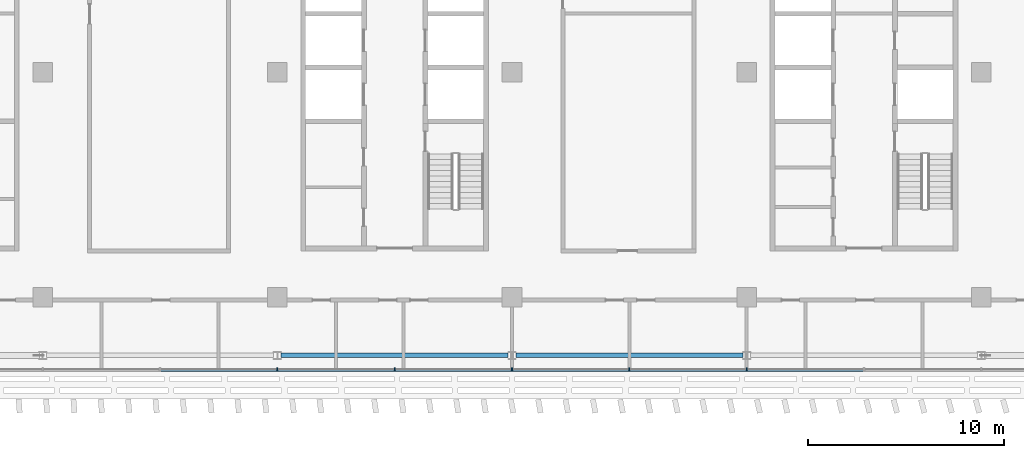
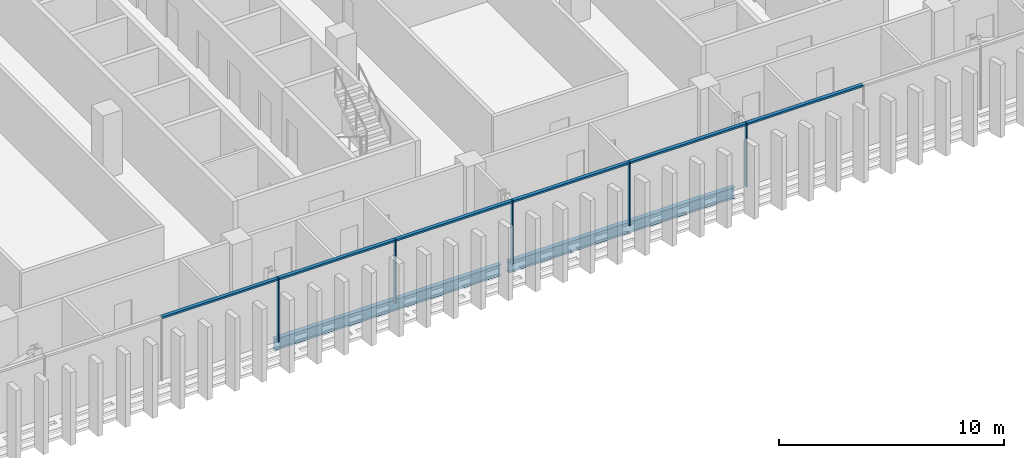
# One storey, part 8 of 34: 11 members, 2 beams, 1 element without a shape of its own.
"""IFC4 building model written with IfcOpenShell, lengths in metres."""

import ifcopenshell
import ifcopenshell.guid

model = None  # the IFC model being written
_history = None  # IfcOwnerHistory: only IFC2X3 demands one
_inside = {}  # id of a spatial element -> (the spatial element, [elements in it])
_under = {}  # id of a project, library or spatial element -> (it, [spatial elements below it])
_declared = {}  # id of a project -> (the project, [libraries it declares])
_typed = {}  # id of a type object -> (the type object, [elements of that type])
_made_of = {}  # id of a material, layer set ... -> (it, [elements and type objects made of it])


def new_model(schema):
    """Start an empty IFC model of exactly this schema.

    Asked for "IFC4X3", IfcOpenShell would pick the latest addendum, in which some entities
    have other attributes; the version numbers below select the first issue.
    IFC2X3 requires an IfcOwnerHistory on every rooted entity: one is made here for all.
    """
    global model, _history
    if schema == "IFC4X3":
        model = ifcopenshell.file(schema_version=(4, 3, 0, 0))
    else:
        model = ifcopenshell.file(schema=schema)
    _inside.clear()
    _under.clear()
    _declared.clear()
    _typed.clear()
    _made_of.clear()
    _history = None
    if model.schema == "IFC2X3":
        org = make("IfcOrganization", Name="unknown")
        user = make(
            "IfcPersonAndOrganization",
            ThePerson=make("IfcPerson", FamilyName="unknown"),
            TheOrganization=org,
        )
        app = make(
            "IfcApplication",
            ApplicationDeveloper=org,
            Version="unknown",
            ApplicationFullName="unknown",
            ApplicationIdentifier="unknown",
        )
        _history = make(
            "IfcOwnerHistory",
            OwningUser=user,
            OwningApplication=app,
            ChangeAction="ADDED",
            CreationDate=0,
        )
    return model


def make(cls, **values):
    """One entity of the class cls with the attributes given. An attribute that is None is left unset."""
    return model.create_entity(
        cls, **{name: value for name, value in values.items() if value is not None}
    )


def rooted(cls, **values):
    """An entity with a GlobalId (a new one), such as an element, a storey or a relation."""
    return make(cls, GlobalId=ifcopenshell.guid.new(), OwnerHistory=_history, **values)


def si_unit(unit_type, name, prefix=None):
    """IfcSIUnit, for example si_unit("LENGTHUNIT", "METRE", prefix="MILLI")."""
    return make("IfcSIUnit", UnitType=unit_type, Prefix=prefix, Name=name)


def assignment(units):
    """IfcUnitAssignment: the units of a project."""
    return None if units is None else make("IfcUnitAssignment", Units=units)


def point(xyz):
    """IfcCartesianPoint."""
    return None if xyz is None else make("IfcCartesianPoint", Coordinates=xyz)


def direction(xyz):
    """IfcDirection."""
    return None if xyz is None else make("IfcDirection", DirectionRatios=xyz)


def frame(location, z_axis=None, x_axis=None):
    """IfcAxis2Placement3D, a coordinate frame: its origin and axes. An axis left out is left unset."""
    return make(
        "IfcAxis2Placement3D",
        Location=point(location),
        Axis=direction(z_axis),
        RefDirection=direction(x_axis),
    )


def frame_2d(location, x_axis=None):
    """IfcAxis2Placement2D, a coordinate frame in the plane: its origin and x axis."""
    return make(
        "IfcAxis2Placement2D", Location=point(location), RefDirection=direction(x_axis)
    )


def origin():
    """The frame at (0, 0, 0) with its axes left unset."""
    return frame((0.0, 0.0, 0.0))


def origin_2d():
    """The frame at (0, 0) in the plane with its x axis left unset."""
    return frame_2d((0.0, 0.0))


def place(relative_to, where):
    """IfcLocalPlacement: puts the frame where relative to a parent placement (None: the world)."""
    return make(
        "IfcLocalPlacement", PlacementRelTo=relative_to, RelativePlacement=where
    )


def context(
    kind, dimensions, precision=None, world=None, true_north=None, identifier=None
):
    """IfcGeometricRepresentationContext, for example the 3D "Model" context."""
    return make(
        "IfcGeometricRepresentationContext",
        ContextIdentifier=identifier,
        ContextType=kind,
        CoordinateSpaceDimension=dimensions,
        Precision=precision,
        WorldCoordinateSystem=world,
        TrueNorth=true_north,
    )


def subcontext(parent, identifier, kind, view, scale=None):
    """IfcGeometricRepresentationSubContext, for example "Body" below "Model"."""
    return make(
        "IfcGeometricRepresentationSubContext",
        ContextIdentifier=identifier,
        ContextType=kind,
        ParentContext=parent,
        TargetScale=scale,
        TargetView=view,
    )


def project(units=None, contexts=None):
    """IfcProject with its units and contexts."""
    return rooted(
        "IfcProject",
        Name="project",
        RepresentationContexts=contexts,
        UnitsInContext=assignment(units),
    )


def spatial(cls, under=None, at=None, **own):
    """A site, building, storey or space (cls), placed at a placement, below another one or the project."""
    s = rooted(cls, ObjectPlacement=at, **own)
    if under is not None:
        _under.setdefault(under.id(), (under, []))[1].append(s)
    return s


def profile(cls, at=None, kind="AREA", **sizes):
    """A parametric profile (cls). Its sizes go by their IFC names, for example OverallWidth=200.0."""
    return make(cls, ProfileType=kind, Position=at, **sizes)


def rectangle(**sizes):
    """IfcRectangleProfileDef."""
    return profile("IfcRectangleProfileDef", **sizes)


def i_section(**sizes):
    """IfcIShapeProfileDef."""
    return profile("IfcIShapeProfileDef", **sizes)


def extrude(swept, where, along, depth):
    """IfcExtrudedAreaSolid: the profile swept, set in the frame where, extruded along a direction by depth."""
    return make(
        "IfcExtrudedAreaSolid",
        SweptArea=swept,
        Position=where,
        ExtrudedDirection=direction(along),
        Depth=depth,
    )


def shape(context_of_items, identifier, shape_type, items):
    """IfcShapeRepresentation: the items that make up one representation, for example the "Body"."""
    return make(
        "IfcShapeRepresentation",
        ContextOfItems=context_of_items,
        RepresentationIdentifier=identifier,
        RepresentationType=shape_type,
        Items=items,
    )


def material(Name=None, Category=None):
    """IfcMaterial."""
    return make("IfcMaterial", Name=Name, Category=Category)


def material_profile(
    of_material, cross_section, Name=None, Category=None, Priority=None
):
    """IfcMaterialProfile: a cross section and its material."""
    return make(
        "IfcMaterialProfile",
        Name=Name,
        Material=of_material,
        Profile=cross_section,
        Priority=Priority,
        Category=Category,
    )


def profile_set(profiles, Name=None, composite=None):
    """IfcMaterialProfileSet."""
    return make(
        "IfcMaterialProfileSet",
        Name=Name,
        MaterialProfiles=profiles,
        CompositeProfile=composite,
    )


def made_of(thing, what):
    """Note that an element or type object is made of a material, layer set ...; save() writes the relation."""
    if what is not None:
        _made_of.setdefault(what.id(), (what, []))[1].append(thing)
    return thing


def type_object(cls, material=None, **own):
    """A type object (cls), such as IfcWallType, which elements share."""
    return made_of(rooted(cls, **own), material)


def element(
    cls,
    number,
    at=None,
    inside=None,
    cuts=None,
    type_object=None,
    material=None,
    context=None,
    identifier="Body",
    shape_type=None,
    held_by="IfcProductDefinitionShape",
    body=None,
    shapes=None,
    **own,
):
    """One element of the class cls, such as IfcWall. Its Tag is "e" and its number.

    at: its placement. inside: the storey or other place that contains it. cuts: it is an
    opening in that element (IfcRelVoidsElement). A single representation is given by context,
    identifier, shape_type and body (its items); several are given by shapes. held_by: the class
    of the entity that holds the representations. save() writes the other relations.
    """
    e = rooted(cls, Tag="e%d" % number, ObjectPlacement=at, **own)
    if body is not None:
        shapes = [shape(context, identifier, shape_type, body)]
    if shapes is not None:
        e.Representation = make(held_by, Representations=shapes)
    if inside is not None:
        _inside.setdefault(inside.id(), (inside, []))[1].append(e)
    if cuts is not None:
        rooted(
            "IfcRelVoidsElement", RelatingBuildingElement=cuts, RelatedOpeningElement=e
        )
    if type_object is not None:
        _typed.setdefault(type_object.id(), (type_object, []))[1].append(e)
    return made_of(e, material)


def aggregate(whole, parts):
    """IfcRelAggregates: a whole, such as a stair, and the parts it consists of."""
    return rooted("IfcRelAggregates", RelatingObject=whole, RelatedObjects=parts)


def save(model, path):
    """Write the relations noted so far, then the file.

    IfcRelAggregates (storeys below a building ...), IfcRelContainedInSpatialStructure (elements
    in a storey), IfcRelDefinesByType, IfcRelAssociatesMaterial and IfcRelDeclares: one each for
    every whole, place, type object, material and project.
    """
    for whole, parts in _under.values():
        aggregate(whole, parts)
    for where, things in _inside.values():
        rooted(
            "IfcRelContainedInSpatialStructure",
            RelatedElements=things,
            RelatingStructure=where,
        )
    for kind, things in _typed.values():
        rooted("IfcRelDefinesByType", RelatedObjects=things, RelatingType=kind)
    for what, things in _made_of.values():
        rooted("IfcRelAssociatesMaterial", RelatedObjects=things, RelatingMaterial=what)
    for by, libraries in _declared.values():
        rooted("IfcRelDeclares", RelatingContext=by, RelatedDefinitions=libraries)
    model.write(path)


model = new_model("IFC4")

# Units and contexts
model_context = context("Model", 3, precision=1e-05, world=origin(), true_north=direction((0.0, 1.0)))
body_context = subcontext(model_context, "Body", "Model", "MODEL_VIEW")
ifc_project = project(units=[si_unit("LENGTHUNIT", "METRE"), si_unit("AREAUNIT", "SQUARE_METRE"), si_unit("VOLUMEUNIT", "CUBIC_METRE"), si_unit("PLANEANGLEUNIT", "RADIAN"), si_unit("MASSUNIT", "GRAM", prefix="KILO")], contexts=[model_context])

# Site, building, storey
site_placement = place(None, origin())
site = spatial("IfcSite", under=ifc_project, at=site_placement, CompositionType="ELEMENT")
building_placement = place(site_placement, origin())
building = spatial("IfcBuilding", under=site, at=building_placement, Name="Mahtab Terrace Research Tower", CompositionType="ELEMENT")
storey_placement = place(building_placement, frame((0.0, 0.0, 247.60009765625)))
storey = spatial("IfcBuildingStorey", under=building, at=storey_placement, Name="L60", CompositionType="ELEMENT", Elevation=247.60009765625)

# Curtain wall, members
ifc_material_1 = material(Name="Office ribbon curtain wall")
curtain_wall_type = type_object("IfcCurtainWallType", Name="Office ribbon curtain wall", PredefinedType="NOTDEFINED", material=ifc_material_1)
curtain_wall_placement = place(storey_placement, origin())
curtain_wall = element("IfcCurtainWall", 1, at=curtain_wall_placement, inside=storey, type_object=curtain_wall_type, Name="EN.L60.13.15", PredefinedType="NOTDEFINED")
ifc_material_2 = material(Name="Natural anodised aluminium", Category="aluminium")
ifc_material_profile_1 = material_profile(ifc_material_2, rectangle(XDim=0.179931640625, YDim=0.06005859375, at=origin_2d()), Name="MULLION 60x180")
ifc_profile_set_1 = profile_set([ifc_material_profile_1], Name="Natural anodised aluminium")
member_type_1 = type_object("IfcMemberType", Name="Office ribbon curtain wall mullion", PredefinedType="MULLION", material=ifc_profile_set_1)
member_1_placement = place(storey_placement, frame((-6.0, -15.195068359375, 0.0), z_axis=(0.0, 0.0, 1.0), x_axis=(0.0, 1.0, 0.0)))
member_1 = element("IfcMember", 2, at=member_1_placement, type_object=member_type_1, Name="CWO-7 mullion 6", PredefinedType="MULLION", context=body_context, shape_type="SweptSolid", body=[
    extrude(rectangle(XDim=0.179931640625, YDim=0.06005859375, at=origin_2d()), origin(), (0.0, 0.0, 1.0), 3.4599609375),
])
member_2_placement = place(storey_placement, frame((0.0, -15.195068359375, 0.0), z_axis=(0.0, 0.0, 1.0), x_axis=(0.0, 1.0, 0.0)))
member_2 = element("IfcMember", 3, at=member_2_placement, type_object=member_type_1, Name="CWO-7 mullion 7", PredefinedType="MULLION", context=body_context, shape_type="SweptSolid", body=[
    extrude(rectangle(XDim=0.179931640625, YDim=0.06005859375, at=origin_2d()), origin(), (0.0, 0.0, 1.0), 3.4599609375),
])
member_3_placement = place(storey_placement, frame((6.0, -15.195068359375, 0.0), z_axis=(0.0, 0.0, 1.0), x_axis=(0.0, 1.0, 0.0)))
member_3 = element("IfcMember", 4, at=member_3_placement, type_object=member_type_1, Name="CWO-7 mullion 8", PredefinedType="MULLION", context=body_context, shape_type="SweptSolid", body=[
    extrude(rectangle(XDim=0.179931640625, YDim=0.06005859375, at=origin_2d()), origin(), (0.0, 0.0, 1.0), 3.4599609375),
])
member_4_placement = place(storey_placement, frame((12.0, -15.195068359375, 0.0), z_axis=(0.0, 0.0, 1.0), x_axis=(0.0, 1.0, 0.0)))
member_4 = element("IfcMember", 5, at=member_4_placement, type_object=member_type_1, Name="CWO-7 mullion 9", PredefinedType="MULLION", context=body_context, shape_type="SweptSolid", body=[
    extrude(rectangle(XDim=0.179931640625, YDim=0.06005859375, at=origin_2d()), origin(), (0.0, 0.0, 1.0), 3.4599609375),
])
member_5_placement = place(storey_placement, frame((18.0, -15.195068359375, 0.0), z_axis=(0.0, 0.0, 1.0), x_axis=(0.0, 1.0, 0.0)))
member_5 = element("IfcMember", 6, at=member_5_placement, type_object=member_type_1, Name="CWO-7 mullion 10", PredefinedType="MULLION", context=body_context, shape_type="SweptSolid", body=[
    extrude(rectangle(XDim=0.179931640625, YDim=0.06005859375, at=origin_2d()), origin(), (0.0, 0.0, 1.0), 3.4599609375),
])
ifc_material_profile_2 = material_profile(ifc_material_2, rectangle(XDim=0.179931640625, YDim=0.10009765625, at=origin_2d()), Name="TRANSOM 100x180")
ifc_profile_set_2 = profile_set([ifc_material_profile_2], Name="Natural anodised aluminium")
member_type_2 = type_object("IfcMemberType", Name="Office ribbon curtain wall transom", PredefinedType="USERDEFINED", material=ifc_profile_set_2)
member_6_placement = place(storey_placement, frame((-11.969970703125, -15.195068359375, 3.409912109375), z_axis=(1.0, 0.0, 0.0), x_axis=(0.0, 1.0, 0.0)))
member_6 = element("IfcMember", 7, at=member_6_placement, type_object=member_type_2, Name="CWO-7 transom 5", ObjectType="TRANSOM", PredefinedType="USERDEFINED", context=body_context, shape_type="SweptSolid", body=[
    extrude(rectangle(XDim=0.179931640625, YDim=0.10009765625, at=origin_2d()), origin(), (0.0, 0.0, 1.0), 5.93994140625),
])
member_7_placement = place(storey_placement, frame((-5.969970703125, -15.195068359375, 3.409912109375), z_axis=(1.0, 0.0, 0.0), x_axis=(0.0, 1.0, 0.0)))
member_7 = element("IfcMember", 8, at=member_7_placement, type_object=member_type_2, Name="CWO-7 transom 6", ObjectType="TRANSOM", PredefinedType="USERDEFINED", context=body_context, shape_type="SweptSolid", body=[
    extrude(rectangle(XDim=0.179931640625, YDim=0.10009765625, at=origin_2d()), origin(), (0.0, 0.0, 1.0), 5.93994140625),
])
member_8_placement = place(storey_placement, frame((0.030029296875, -15.195068359375, 3.409912109375), z_axis=(1.0, 0.0, 0.0), x_axis=(0.0, 1.0, 0.0)))
member_8 = element("IfcMember", 9, at=member_8_placement, type_object=member_type_2, Name="CWO-7 transom 7", ObjectType="TRANSOM", PredefinedType="USERDEFINED", context=body_context, shape_type="SweptSolid", body=[
    extrude(rectangle(XDim=0.179931640625, YDim=0.10009765625, at=origin_2d()), origin(), (0.0, 0.0, 1.0), 5.93994140625),
])
member_9_placement = place(storey_placement, frame((6.030029296875, -15.195068359375, 3.409912109375), z_axis=(1.0, 0.0, 0.0), x_axis=(0.0, 1.0, 0.0)))
member_9 = element("IfcMember", 10, at=member_9_placement, type_object=member_type_2, Name="CWO-7 transom 8", ObjectType="TRANSOM", PredefinedType="USERDEFINED", context=body_context, shape_type="SweptSolid", body=[
    extrude(rectangle(XDim=0.179931640625, YDim=0.10009765625, at=origin_2d()), origin(), (0.0, 0.0, 1.0), 5.93994140625),
])
member_10_placement = place(storey_placement, frame((12.030029296875, -15.195068359375, 3.409912109375), z_axis=(1.0, 0.0, 0.0), x_axis=(0.0, 1.0, 0.0)))
member_10 = element("IfcMember", 11, at=member_10_placement, type_object=member_type_2, Name="CWO-7 transom 9", ObjectType="TRANSOM", PredefinedType="USERDEFINED", context=body_context, shape_type="SweptSolid", body=[
    extrude(rectangle(XDim=0.179931640625, YDim=0.10009765625, at=origin_2d()), origin(), (0.0, 0.0, 1.0), 5.93994140625),
])
member_11_placement = place(storey_placement, frame((18.030029296875, -15.195068359375, 3.409912109375), z_axis=(1.0, 0.0, 0.0), x_axis=(0.0, 1.0, 0.0)))
member_11 = element("IfcMember", 12, at=member_11_placement, type_object=member_type_2, Name="CWO-7 transom 10", ObjectType="TRANSOM", PredefinedType="USERDEFINED", context=body_context, shape_type="SweptSolid", body=[
    extrude(rectangle(XDim=0.179931640625, YDim=0.10009765625, at=origin_2d()), origin(), (0.0, 0.0, 1.0), 5.93994140625),
])
aggregate(curtain_wall, [member_1, member_2, member_3, member_4, member_5, member_6, member_7, member_8, member_9, member_10, member_11])

# Beams
ifc_material_3 = material(Name="Steel ASTM A992 Gr 50", Category="steel")
ifc_material_profile_3 = material_profile(ifc_material_3, i_section(OverallWidth=0.228271484375, OverallDepth=0.607177734375, WebThickness=0.01123046875, FlangeThickness=0.017333984375, at=origin_2d()), Name="W24X76")
ifc_profile_set_3 = profile_set([ifc_material_profile_3], Name="Steel ASTM A992 Gr 50")
beam_type = type_object("IfcBeamType", Name="W24x76 beam BS2476", PredefinedType="BEAM", material=ifc_profile_set_3)
for number, where, z_axis, x_axis, name in (
    (13, (-5.800537109375, -14.472900390625, -0.6435546875), (1.0, 0.0, 0.0), (0.0, 1.0, 0.0), "Spandrel beam L60 15"),
    (14, (6.199462890625, -14.472900390625, -0.6435546875), (1.0, 0.0, 0.0), (0.0, 1.0, 0.0), "Spandrel beam L60 16"),
):
    element("IfcBeam", number, at=place(storey_placement, frame(where, z_axis=z_axis, x_axis=x_axis)), inside=storey, type_object=beam_type, Name=name, PredefinedType="BEAM", context=body_context, shape_type="SweptSolid", body=[
        extrude(i_section(OverallWidth=0.228271484375, OverallDepth=0.607177734375, WebThickness=0.01123046875, FlangeThickness=0.017333984375, at=origin_2d()), origin(), (0.0, 0.0, 1.0), 11.60107421875),
    ])

save(model, "model.ifc")
